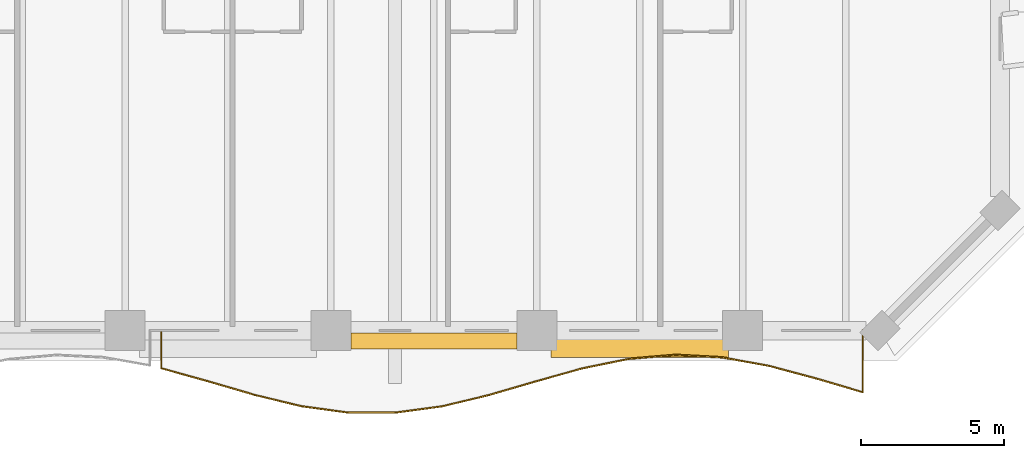
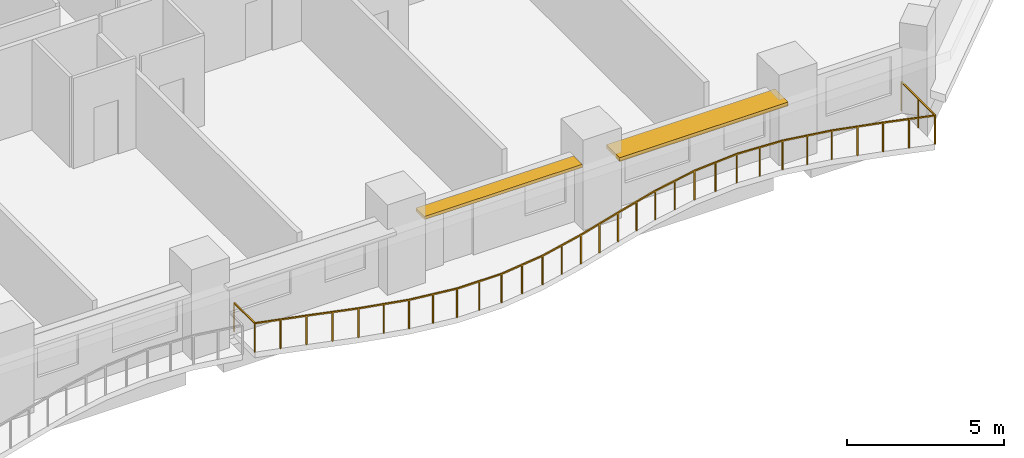
# One storey, part 14 of 15: 2 shading devices, 1 railing.
"""IFC4 building model written with IfcOpenShell, lengths in metres."""

from ifc_helpers import new_model, si_unit, direction, frame, origin, origin_2d, place, context, subcontext, project, spatial, rectangle, extrude, material, layer, layer_set, type_object, element, save


model = new_model("IFC4")

# Units and contexts
model_context = context("Model", 3, precision=1e-05, world=origin(), true_north=direction((0.0, 1.0)))
body_context = subcontext(model_context, "Body", "Model", "MODEL_VIEW")
ifc_project = project(units=[si_unit("LENGTHUNIT", "METRE"), si_unit("AREAUNIT", "SQUARE_METRE"), si_unit("VOLUMEUNIT", "CUBIC_METRE"), si_unit("PLANEANGLEUNIT", "RADIAN"), si_unit("MASSUNIT", "GRAM", prefix="KILO")], contexts=[model_context])

# Site, building, storey
site_placement = place(None, origin())
site = spatial("IfcSite", under=ifc_project, at=site_placement, CompositionType="ELEMENT")
building_placement = place(site_placement, origin())
building = spatial("IfcBuilding", under=site, at=building_placement, Name="Kaelvorn Grand Hotel", CompositionType="ELEMENT")
storey_placement = place(building_placement, frame((0.0, 0.0, 65.14990234375)))
storey = spatial("IfcBuildingStorey", under=building, at=storey_placement, Name="L14", CompositionType="ELEMENT", Elevation=65.14990234375)

# Railing
ifc_material_1 = material(Name="Stainless Steel", Category="steel")
railing_type = type_object("IfcRailingType", Name="RL-BALC-1150", PredefinedType="BALUSTRADE", material=ifc_material_1)
railing_placement = place(storey_placement, frame((54.666748046875, 0.0, 0.0)))
element("IfcRailing", 1, at=railing_placement, inside=storey, type_object=railing_type, Name="L14 Scalloped Wave Balcony Balustrade GR1-3", PredefinedType="BALUSTRADE", context=body_context, shape_type="SweptSolid", body=[
    extrude(rectangle(XDim=0.048095703125, YDim=0.048095703125, at=origin_2d()), frame((0.0, 0.0, 1.1259765625), z_axis=(0.0, -1.0, 0.0), x_axis=(1.0, 0.0, 0.0)), (0.0, 0.0, 1.0), 1.318359375),
    extrude(rectangle(XDim=0.048095703125, YDim=0.048095703125, at=origin_2d()), frame((0.0, -1.318359375, 1.1259765625), z_axis=(0.963251690304, -0.268600411627, 0.0), x_axis=(0.268600411627, 0.963251690304, 0.0)), (0.0, 0.0, 1.0), 1.697998046875),
    extrude(rectangle(XDim=0.048095703125, YDim=0.048095703125, at=origin_2d()), frame((1.635498046875, -1.7744140625, 1.1259765625), z_axis=(0.959763780104, -0.280808629498, 0.0), x_axis=(0.280808629498, 0.959763780104, 0.0)), (0.0, 0.0, 1.0), 1.7041015625),
    extrude(rectangle(XDim=0.048095703125, YDim=0.048095703125, at=origin_2d()), frame((3.27099609375, -2.2529296875, 1.1259765625), z_axis=(0.972148369978, -0.234366266236, 0.0), x_axis=(0.234366266236, 0.972148369978, 0.0)), (0.0, 0.0, 1.0), 1.682373046875),
    extrude(rectangle(XDim=0.048095703125, YDim=0.048095703125, at=origin_2d()), frame((4.906494140625, -2.647216796875, 1.1259765625), z_axis=(0.990842762627, -0.13502081228, 0.0), x_axis=(0.13502081228, 0.990842762627, 0.0)), (0.0, 0.0, 1.0), 1.65087890625),
    extrude(rectangle(XDim=0.048095703125, YDim=0.048095703125, at=origin_2d()), frame((6.542236328125, -2.8701171875, 1.1259765625), z_axis=(0.999999286934, -0.001194207239, 0.0), x_axis=(0.001194207239, 0.999999286934, 0.0)), (0.0, 0.0, 1.0), 1.635498046875),
    extrude(rectangle(XDim=0.048095703125, YDim=0.048095703125, at=origin_2d()), frame((8.177734375, -2.8720703125, 1.1259765625), z_axis=(0.991115126173, 0.133006791824, 0.0), x_axis=(-0.133006791824, 0.991115126173, 0.0)), (0.0, 0.0, 1.0), 1.650146484375),
    extrude(rectangle(XDim=0.048095703125, YDim=0.048095703125, at=origin_2d()), frame((9.813232421875, -2.652587890625, 1.1259765625), z_axis=(0.972412331171, 0.233268639527, 0.0), x_axis=(-0.233268639527, 0.972412331171, 0.0)), (0.0, 0.0, 1.0), 1.681884765625),
    extrude(rectangle(XDim=0.048095703125, YDim=0.048095703125, at=origin_2d()), frame((11.44873046875, -2.26025390625, 1.1259765625), z_axis=(0.959890814744, 0.280374078277, 0.0), x_axis=(-0.280374078277, 0.959890814744, 0.0)), (0.0, 0.0, 1.0), 1.7041015625),
    extrude(rectangle(XDim=0.048095703125, YDim=0.048095703125, at=origin_2d()), frame((13.08447265625, -1.782470703125, 1.1259765625), z_axis=(0.963065481096, 0.269267300506, 0.0), x_axis=(-0.269267300506, 0.963065481096, 0.0)), (0.0, 0.0, 1.0), 1.6982421875),
    extrude(rectangle(XDim=0.048095703125, YDim=0.048095703125, at=origin_2d()), frame((14.719970703125, -1.3251953125, 1.1259765625), z_axis=(0.979635901777, 0.200782220203, 0.0), x_axis=(-0.200782220203, 0.979635901777, 0.0)), (0.0, 0.0, 1.0), 1.66943359375),
    extrude(rectangle(XDim=0.048095703125, YDim=0.048095703125, at=origin_2d()), frame((16.35546875, -0.989990234375, 1.1259765625), z_axis=(0.996424697857, 0.084485628957, 0.0), x_axis=(-0.084485628957, 0.996424697857, 0.0)), (0.0, 0.0, 1.0), 1.641357421875),
    extrude(rectangle(XDim=0.048095703125, YDim=0.048095703125, at=origin_2d()), frame((17.990966796875, -0.851318359375, 1.1259765625), z_axis=(0.998527034958, -0.054256432412, 0.0), x_axis=(0.054256432412, 0.998527034958, 0.0)), (0.0, 0.0, 1.0), 1.637939453125),
    extrude(rectangle(XDim=0.048095703125, YDim=0.048095703125, at=origin_2d()), frame((19.62646484375, -0.940185546875, 1.1259765625), z_axis=(0.983977821186, -0.178290906704, 0.0), x_axis=(0.178290906704, 0.983977821186, 0.0)), (0.0, 0.0, 1.0), 1.662353515625),
    extrude(rectangle(XDim=0.048095703125, YDim=0.048095703125, at=origin_2d()), frame((21.26220703125, -1.236572265625, 1.1259765625), z_axis=(0.965925524936, -0.258820169766, 0.0), x_axis=(0.258820169766, 0.965925524936, 0.0)), (0.0, 0.0, 1.0), 1.693115234375),
    extrude(rectangle(XDim=0.048095703125, YDim=0.048095703125, at=origin_2d()), frame((22.897705078125, -1.6748046875, 1.1259765625), z_axis=(0.959105197492, -0.283049854522, 0.0), x_axis=(0.283049854522, 0.959105197492, 0.0)), (0.0, 0.0, 1.0), 1.705322265625),
    extrude(rectangle(XDim=0.048095703125, YDim=0.048095703125, at=origin_2d()), frame((24.533203125, -2.157470703125, 1.1259765625), z_axis=(0.0, 1.0, 0.0), x_axis=(-1.0, 0.0, 0.0)), (0.0, 0.0, 1.0), 2.157470703125),
    extrude(rectangle(XDim=0.0419921875, YDim=0.0419921875, at=origin_2d()), origin(), (0.0, 0.0, 1.0), 1.101806640625),
    extrude(rectangle(XDim=0.0419921875, YDim=0.0419921875, at=origin_2d()), frame((0.0, -1.318359375, 0.0)), (0.0, 0.0, 1.0), 1.101806640625),
    extrude(rectangle(XDim=0.0419921875, YDim=0.0419921875, at=origin_2d()), frame((0.81787109375, -1.54638671875, 0.0)), (0.0, 0.0, 1.0), 1.101806640625),
    extrude(rectangle(XDim=0.0419921875, YDim=0.0419921875, at=origin_2d()), frame((1.635498046875, -1.7744140625, 0.0)), (0.0, 0.0, 1.0), 1.101806640625),
    extrude(rectangle(XDim=0.0419921875, YDim=0.0419921875, at=origin_2d()), frame((2.453125, -2.013671875, 0.0)), (0.0, 0.0, 1.0), 1.101806640625),
    extrude(rectangle(XDim=0.0419921875, YDim=0.0419921875, at=origin_2d()), frame((3.27099609375, -2.2529296875, 0.0)), (0.0, 0.0, 1.0), 1.101806640625),
    extrude(rectangle(XDim=0.0419921875, YDim=0.0419921875, at=origin_2d()), frame((4.0888671875, -2.4501953125, 0.0)), (0.0, 0.0, 1.0), 1.101806640625),
    extrude(rectangle(XDim=0.0419921875, YDim=0.0419921875, at=origin_2d()), frame((4.906494140625, -2.647216796875, 0.0)), (0.0, 0.0, 1.0), 1.101806640625),
    extrude(rectangle(XDim=0.0419921875, YDim=0.0419921875, at=origin_2d()), frame((5.724365234375, -2.7587890625, 0.0)), (0.0, 0.0, 1.0), 1.101806640625),
    extrude(rectangle(XDim=0.0419921875, YDim=0.0419921875, at=origin_2d()), frame((6.542236328125, -2.8701171875, 0.0)), (0.0, 0.0, 1.0), 1.101806640625),
    extrude(rectangle(XDim=0.0419921875, YDim=0.0419921875, at=origin_2d()), frame((7.35986328125, -2.87109375, 0.0)), (0.0, 0.0, 1.0), 1.101806640625),
    extrude(rectangle(XDim=0.0419921875, YDim=0.0419921875, at=origin_2d()), frame((8.177734375, -2.8720703125, 0.0)), (0.0, 0.0, 1.0), 1.101806640625),
    extrude(rectangle(XDim=0.0419921875, YDim=0.0419921875, at=origin_2d()), frame((8.99560546875, -2.76220703125, 0.0)), (0.0, 0.0, 1.0), 1.101806640625),
    extrude(rectangle(XDim=0.0419921875, YDim=0.0419921875, at=origin_2d()), frame((9.813232421875, -2.652587890625, 0.0)), (0.0, 0.0, 1.0), 1.101806640625),
    extrude(rectangle(XDim=0.0419921875, YDim=0.0419921875, at=origin_2d()), frame((10.630859375, -2.45654296875, 0.0)), (0.0, 0.0, 1.0), 1.101806640625),
    extrude(rectangle(XDim=0.0419921875, YDim=0.0419921875, at=origin_2d()), frame((11.44873046875, -2.26025390625, 0.0)), (0.0, 0.0, 1.0), 1.101806640625),
    extrude(rectangle(XDim=0.0419921875, YDim=0.0419921875, at=origin_2d()), frame((12.2666015625, -2.021484375, 0.0)), (0.0, 0.0, 1.0), 1.101806640625),
    extrude(rectangle(XDim=0.0419921875, YDim=0.0419921875, at=origin_2d()), frame((13.08447265625, -1.782470703125, 0.0)), (0.0, 0.0, 1.0), 1.101806640625),
    extrude(rectangle(XDim=0.0419921875, YDim=0.0419921875, at=origin_2d()), frame((13.90234375, -1.5537109375, 0.0)), (0.0, 0.0, 1.0), 1.101806640625),
    extrude(rectangle(XDim=0.0419921875, YDim=0.0419921875, at=origin_2d()), frame((14.719970703125, -1.3251953125, 0.0)), (0.0, 0.0, 1.0), 1.101806640625),
    extrude(rectangle(XDim=0.0419921875, YDim=0.0419921875, at=origin_2d()), frame((15.53759765625, -1.15771484375, 0.0)), (0.0, 0.0, 1.0), 1.101806640625),
    extrude(rectangle(XDim=0.0419921875, YDim=0.0419921875, at=origin_2d()), frame((16.35546875, -0.989990234375, 0.0)), (0.0, 0.0, 1.0), 1.101806640625),
    extrude(rectangle(XDim=0.0419921875, YDim=0.0419921875, at=origin_2d()), frame((17.17333984375, -0.920654296875, 0.0)), (0.0, 0.0, 1.0), 1.101806640625),
    extrude(rectangle(XDim=0.0419921875, YDim=0.0419921875, at=origin_2d()), frame((17.990966796875, -0.851318359375, 0.0)), (0.0, 0.0, 1.0), 1.101806640625),
    extrude(rectangle(XDim=0.0419921875, YDim=0.0419921875, at=origin_2d()), frame((18.80859375, -0.895751953125, 0.0)), (0.0, 0.0, 1.0), 1.101806640625),
    extrude(rectangle(XDim=0.0419921875, YDim=0.0419921875, at=origin_2d()), frame((19.62646484375, -0.940185546875, 0.0)), (0.0, 0.0, 1.0), 1.101806640625),
    extrude(rectangle(XDim=0.0419921875, YDim=0.0419921875, at=origin_2d()), frame((20.4443359375, -1.08837890625, 0.0)), (0.0, 0.0, 1.0), 1.101806640625),
    extrude(rectangle(XDim=0.0419921875, YDim=0.0419921875, at=origin_2d()), frame((21.26220703125, -1.236572265625, 0.0)), (0.0, 0.0, 1.0), 1.101806640625),
    extrude(rectangle(XDim=0.0419921875, YDim=0.0419921875, at=origin_2d()), frame((22.080078125, -1.45556640625, 0.0)), (0.0, 0.0, 1.0), 1.101806640625),
    extrude(rectangle(XDim=0.0419921875, YDim=0.0419921875, at=origin_2d()), frame((22.897705078125, -1.6748046875, 0.0)), (0.0, 0.0, 1.0), 1.101806640625),
    extrude(rectangle(XDim=0.0419921875, YDim=0.0419921875, at=origin_2d()), frame((23.71533203125, -1.916015625, 0.0)), (0.0, 0.0, 1.0), 1.101806640625),
    extrude(rectangle(XDim=0.0419921875, YDim=0.0419921875, at=origin_2d()), frame((24.533203125, -2.157470703125, 0.0)), (0.0, 0.0, 1.0), 1.101806640625),
    extrude(rectangle(XDim=0.0419921875, YDim=0.0419921875, at=origin_2d()), frame((24.533203125, -1.07861328125, 0.0)), (0.0, 0.0, 1.0), 1.101806640625),
    extrude(rectangle(XDim=0.0419921875, YDim=0.0419921875, at=origin_2d()), frame((24.533203125, 0.0, 0.0)), (0.0, 0.0, 1.0), 1.101806640625),
])

# Shading devices
ifc_material_2 = material(Name="Precast concrete C45/55", Category="concrete")
ifc_layer_1 = layer(ifc_material_2, 0.1201171875)
ifc_layer_set_1 = layer_set([ifc_layer_1], Name="Precast concrete C45/55")
shading_device_type_1 = type_object("IfcShadingDeviceType", Name="SHD-SUNSHADE-550", PredefinedType="USERDEFINED", material=ifc_layer_set_1)
shading_device_1_placement = place(storey_placement, frame((64.199951171875, -0.364990234375, 2.419921875), z_axis=(0.0, 0.0, 1.0), x_axis=(1.0, 0.0, 0.0)))
element("IfcShadingDevice", 2, at=shading_device_1_placement, inside=storey, type_object=shading_device_type_1, Name="L14 Horizontal Concrete Sunshade Band SS-09", ObjectType="SUNSHADE", PredefinedType="USERDEFINED", context=body_context, shape_type="SweptSolid", body=[
    extrude(rectangle(XDim=5.800048828125, YDim=0.550048828125, at=origin_2d()), origin(), (0.0, 0.0, 1.0), 0.1201171875),
])
ifc_layer_2 = layer(ifc_material_2, 0.139892578125)
ifc_layer_set_2 = layer_set([ifc_layer_2], Name="Precast concrete C45/55")
shading_device_type_2 = type_object("IfcShadingDeviceType", Name="SHD-SUNSHADE-850", PredefinedType="USERDEFINED", material=ifc_layer_set_2)
shading_device_2_placement = place(storey_placement, frame((71.39990234375, -0.514892578125, 2.41015625), z_axis=(0.0, 0.0, 1.0), x_axis=(1.0, 0.0, 0.0)))
element("IfcShadingDevice", 3, at=shading_device_2_placement, inside=storey, type_object=shading_device_type_2, Name="L14 Horizontal Concrete Sunshade Band SS-10", ObjectType="SUNSHADE", PredefinedType="USERDEFINED", context=body_context, shape_type="SweptSolid", body=[
    extrude(rectangle(XDim=6.199951171875, YDim=0.85009765625, at=origin_2d()), origin(), (0.0, 0.0, 1.0), 0.139892578125),
])

save(model, "model.ifc")
